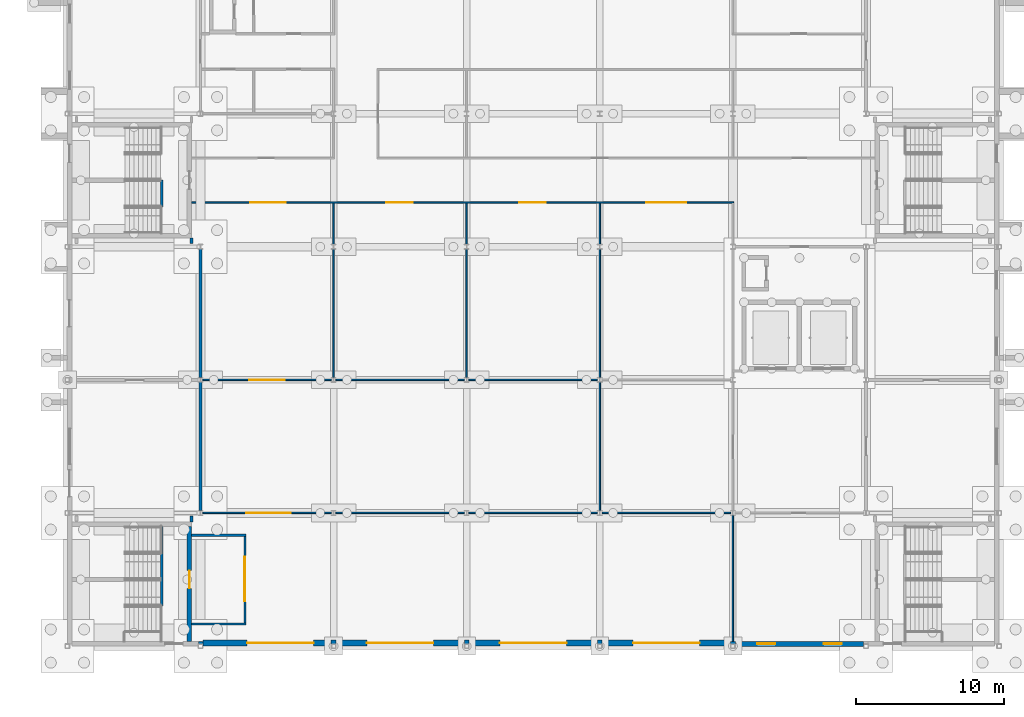
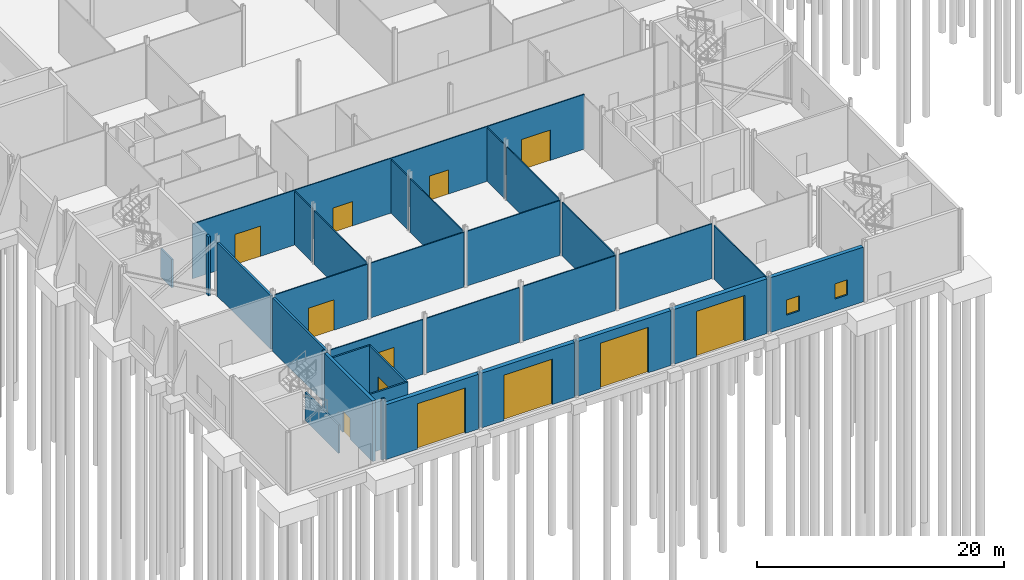
# One storey, part 100 of 139: 36 walls, 12 doors, 2 windows, 14 openings.
"""IFC4 building model written with IfcOpenShell, lengths in metres."""

from ifc_helpers import new_model, si_unit, direction, frame, frame_2d, origin, place, context, subcontext, project, spatial, rectangle, extrude, material, layer, layer_set, type_object, element, fill, save


model = new_model("IFC4")

# Units and contexts
model_context = context("Model", 3, precision=1e-05, world=origin(), true_north=direction((0.0, 1.0)))
body_context = subcontext(model_context, "Body", "Model", "MODEL_VIEW")
ifc_project = project(units=[si_unit("LENGTHUNIT", "METRE"), si_unit("AREAUNIT", "SQUARE_METRE"), si_unit("VOLUMEUNIT", "CUBIC_METRE"), si_unit("PLANEANGLEUNIT", "RADIAN"), si_unit("MASSUNIT", "GRAM", prefix="KILO")], contexts=[model_context])

# Site, building, storey
site_placement = place(None, origin())
site = spatial("IfcSite", under=ifc_project, at=site_placement, CompositionType="ELEMENT")
building_placement = place(site_placement, origin())
building = spatial("IfcBuilding", under=site, at=building_placement, Name="Shorebreak Coast Museum", CompositionType="ELEMENT")
storey_placement = place(building_placement, origin())
storey = spatial("IfcBuildingStorey", under=building, at=storey_placement, Name="L00", CompositionType="ELEMENT", Elevation=0.0)

# Walls
ifc_material_1 = material(Name="Concrete N50 (50 MPa)", Category="concrete")
ifc_layer_1 = layer(ifc_material_1, 0.14990234375)
ifc_layer_set_1 = layer_set([ifc_layer_1], Name="Concrete N50 (50 MPa)")
wall_type_1 = type_object("IfcWallType", Name="Column closure panel 150", PredefinedType="SOLIDWALL", material=ifc_layer_set_1)
wall_1_placement = place(storey_placement, frame((62.85009765625, 0.22509765625, 0.0), z_axis=(0.0, 0.0, 1.0), x_axis=(1.0, 0.0, 0.0)))
element("IfcWall", 1, at=wall_1_placement, inside=storey, type_object=wall_type_1, Name="Column closure panel L00 S 8A", PredefinedType="SOLIDWALL", context=body_context, shape_type="SweptSolid", body=[
    extrude(rectangle(XDim=0.322021484375, YDim=0.14990234375, at=frame_2d((0.1611328125, 0.0))), origin(), (0.0, 0.0, 1.0), 6.0),
])
ifc_material_2 = material(Name="Concrete N50 (50 MPa)", Category="concrete")
ifc_layer_2 = layer(ifc_material_2, 0.175048828125)
ifc_layer_set_2 = layer_set([ifc_layer_2], Name="Concrete N50 (50 MPa)")
wall_type_2 = type_object("IfcWallType", Name="Column closure panel 175", PredefinedType="SOLIDWALL", material=ifc_layer_set_2)
wall_2_placement = place(storey_placement, frame((98.839111328125, 0.237548828125, 0.0), z_axis=(0.0, 0.0, 1.0), x_axis=(1.0, 0.0, 0.0)))
element("IfcWall", 2, at=wall_2_placement, inside=storey, type_object=wall_type_2, Name="Column closure panel L00 S 12A", PredefinedType="SOLIDWALL", context=body_context, shape_type="SweptSolid", body=[
    extrude(rectangle(XDim=0.32177734375, YDim=0.175048828125, at=frame_2d((0.160888671875, 0.0))), origin(), (0.0, 0.0, 1.0), 5.418701171875),
])
ifc_material_3 = material(Name="Concrete N50 (50 MPa)", Category="concrete")
ifc_layer_3 = layer(ifc_material_3, 0.25)
ifc_layer_set_3 = layer_set([ifc_layer_3], Name="Concrete N50 (50 MPa)")
wall_type_3 = type_object("IfcWallType", Name="Column closure panel 250", PredefinedType="SOLIDWALL", material=ifc_layer_set_3)
for number, where, z_axis, x_axis, name in (
    (3, (71.839111328125, 0.27490234375, 0.0), (0.0, 0.0, 1.0), (1.0, 0.0, 0.0), "Column closure panel L00 S 9A"),
    (4, (80.839111328125, 0.27490234375, 0.0), (0.0, 0.0, 1.0), (1.0, 0.0, 0.0), "Column closure panel L00 S 10A"),
    (5, (89.839111328125, 0.27490234375, 0.0), (0.0, 0.0, 1.0), (1.0, 0.0, 0.0), "Column closure panel L00 S 11A"),
):
    element("IfcWall", number, at=place(storey_placement, frame(where, z_axis=z_axis, x_axis=x_axis)), inside=storey, type_object=wall_type_3, Name=name, PredefinedType="SOLIDWALL", context=body_context, shape_type="SweptSolid", body=[
        extrude(rectangle(XDim=0.32177734375, YDim=0.25, at=frame_2d((0.160888671875, 0.0))), origin(), (0.0, 0.0, 1.0), 5.418701171875),
    ])

# Wall, opening, door
ifc_material_4 = material(Name="Concrete N50 (50 MPa)", Category="concrete")
ifc_layer_4 = layer(ifc_material_4, 0.39990234375)
ifc_layer_set_4 = layer_set([ifc_layer_4], Name="Concrete N50 (50 MPa)")
wall_type_4 = type_object("IfcWallType", Name="Dock impact wall 400", PredefinedType="SOLIDWALL", material=ifc_layer_set_4)
wall_3_placement = place(storey_placement, frame((63.172119140625, 0.199951171875, 0.0), z_axis=(0.0, 0.0, 1.0), x_axis=(1.0, 0.0, 0.0)))
wall_3 = element("IfcWall", 6, at=wall_3_placement, inside=storey, type_object=wall_type_4, Name="External wall L00 S 8A", PredefinedType="SOLIDWALL", context=body_context, shape_type="SweptSolid", body=[
    extrude(rectangle(XDim=8.6669921875, YDim=0.39990234375, at=frame_2d((4.33349609375, 0.0))), origin(), (0.0, 0.0, 1.0), 5.418701171875),
])
opening_1_placement = place(wall_3_placement, frame((2.97802734375, 0.0, 0.0)))
opening_1 = element("IfcOpeningElement", 7, at=opening_1_placement, cuts=wall_3, Name="Opening D0901", PredefinedType="OPENING", context=body_context, shape_type="SweptSolid", body=[
    extrude(rectangle(XDim=4.5, YDim=4.5, at=frame_2d((2.25, 2.25))), frame((0.0, 0.2099609375, 0.0), z_axis=(0.0, -1.0, 0.0), x_axis=(1.0, 0.0, 0.0)), (0.0, 0.0, 1.0), 0.419921875),
])
ifc_material_5 = material(Name="Aluminium", Category="aluminium")
door_type_1 = type_object("IfcDoorType", Name="Dock overhead door 4500 x 4500", OperationType="ROLLINGUP", PredefinedType="DOOR", material=ifc_material_5)
door_1_placement = place(opening_1_placement, frame((4.5, 0.0, 0.0), z_axis=(0.0, 0.0, 1.0), x_axis=(-1.0, 0.0, 0.0)))
door_1 = element("IfcDoor", 8, at=door_1_placement, inside=storey, type_object=door_type_1, Name="Dock door DB1 D0901", OperationType="ROLLINGUP", OverallHeight=4.5, OverallWidth=4.5, PredefinedType="DOOR", context=body_context, shape_type="SweptSolid", body=[
    extrude(rectangle(XDim=4.5, YDim=4.5, at=frame_2d((2.25, 2.25))), frame((0.0, 0.02490234375, 0.0), z_axis=(0.0, -1.0, 0.0), x_axis=(1.0, 0.0, 0.0)), (0.0, 0.0, 1.0), 0.050048828125),
])
fill(opening_1, door_1)

wall_4_placement = place(storey_placement, frame((72.160888671875, 0.199951171875, 0.0), z_axis=(0.0, 0.0, 1.0), x_axis=(1.0, 0.0, 0.0)))
wall_4 = element("IfcWall", 9, at=wall_4_placement, inside=storey, type_object=wall_type_4, Name="External wall L00 S 9A", PredefinedType="SOLIDWALL", context=body_context, shape_type="SweptSolid", body=[
    extrude(rectangle(XDim=8.67822265625, YDim=0.39990234375, at=frame_2d((4.339111328125, 0.0))), origin(), (0.0, 0.0, 1.0), 5.418701171875),
])
opening_2_placement = place(wall_4_placement, frame((2.089111328125, 0.0, 0.0)))
opening_2 = element("IfcOpeningElement", 10, at=opening_2_placement, cuts=wall_4, Name="Opening D0902", PredefinedType="OPENING", context=body_context, shape_type="SweptSolid", body=[
    extrude(rectangle(XDim=4.5, YDim=4.5, at=frame_2d((2.25, 2.25))), frame((0.0, 0.2099609375, 0.0), z_axis=(0.0, -1.0, 0.0), x_axis=(1.0, 0.0, 0.0)), (0.0, 0.0, 1.0), 0.419921875),
])
door_2_placement = place(opening_2_placement, frame((4.5, 0.0, 0.0), z_axis=(0.0, 0.0, 1.0), x_axis=(-1.0, 0.0, 0.0)))
door_2 = element("IfcDoor", 11, at=door_2_placement, inside=storey, type_object=door_type_1, Name="Dock door DB2 D0902", OperationType="ROLLINGUP", OverallHeight=4.5, OverallWidth=4.5, PredefinedType="DOOR", context=body_context, shape_type="SweptSolid", body=[
    extrude(rectangle(XDim=4.5, YDim=4.5, at=frame_2d((2.25, 2.25))), frame((0.0, 0.02490234375, 0.0), z_axis=(0.0, -1.0, 0.0), x_axis=(1.0, 0.0, 0.0)), (0.0, 0.0, 1.0), 0.050048828125),
])
fill(opening_2, door_2)

wall_5_placement = place(storey_placement, frame((81.160888671875, 0.199951171875, 0.0), z_axis=(0.0, 0.0, 1.0), x_axis=(1.0, 0.0, 0.0)))
wall_5 = element("IfcWall", 12, at=wall_5_placement, inside=storey, type_object=wall_type_4, Name="External wall L00 S 10A", PredefinedType="SOLIDWALL", context=body_context, shape_type="SweptSolid", body=[
    extrude(rectangle(XDim=8.67822265625, YDim=0.39990234375, at=frame_2d((4.339111328125, 0.0))), origin(), (0.0, 0.0, 1.0), 5.418701171875),
])
opening_3_placement = place(wall_5_placement, frame((2.089111328125, 0.0, 0.0)))
opening_3 = element("IfcOpeningElement", 13, at=opening_3_placement, cuts=wall_5, Name="Opening D0903", PredefinedType="OPENING", context=body_context, shape_type="SweptSolid", body=[
    extrude(rectangle(XDim=4.5, YDim=4.5, at=frame_2d((2.25, 2.25))), frame((0.0, 0.2099609375, 0.0), z_axis=(0.0, -1.0, 0.0), x_axis=(1.0, 0.0, 0.0)), (0.0, 0.0, 1.0), 0.419921875),
])
door_3_placement = place(opening_3_placement, frame((4.5, 0.0, 0.0), z_axis=(0.0, 0.0, 1.0), x_axis=(-1.0, 0.0, 0.0)))
door_3 = element("IfcDoor", 14, at=door_3_placement, inside=storey, type_object=door_type_1, Name="Dock door DB3 D0903", OperationType="ROLLINGUP", OverallHeight=4.5, OverallWidth=4.5, PredefinedType="DOOR", context=body_context, shape_type="SweptSolid", body=[
    extrude(rectangle(XDim=4.5, YDim=4.5, at=frame_2d((2.25, 2.25))), frame((0.0, 0.02490234375, 0.0), z_axis=(0.0, -1.0, 0.0), x_axis=(1.0, 0.0, 0.0)), (0.0, 0.0, 1.0), 0.050048828125),
])
fill(opening_3, door_3)

wall_6_placement = place(storey_placement, frame((90.160888671875, 0.199951171875, 0.0), z_axis=(0.0, 0.0, 1.0), x_axis=(1.0, 0.0, 0.0)))
wall_6 = element("IfcWall", 15, at=wall_6_placement, inside=storey, type_object=wall_type_4, Name="External wall L00 S 11A", PredefinedType="SOLIDWALL", context=body_context, shape_type="SweptSolid", body=[
    extrude(rectangle(XDim=8.67822265625, YDim=0.39990234375, at=frame_2d((4.339111328125, 0.0))), origin(), (0.0, 0.0, 1.0), 5.418701171875),
])
opening_4_placement = place(wall_6_placement, frame((2.089111328125, 0.0, 0.0)))
opening_4 = element("IfcOpeningElement", 16, at=opening_4_placement, cuts=wall_6, Name="Opening D0904", PredefinedType="OPENING", context=body_context, shape_type="SweptSolid", body=[
    extrude(rectangle(XDim=4.5, YDim=4.5, at=frame_2d((2.25, 2.25))), frame((0.0, 0.2099609375, 0.0), z_axis=(0.0, -1.0, 0.0), x_axis=(1.0, 0.0, 0.0)), (0.0, 0.0, 1.0), 0.419921875),
])
door_4_placement = place(opening_4_placement, frame((4.5, 0.0, 0.0), z_axis=(0.0, 0.0, 1.0), x_axis=(-1.0, 0.0, 0.0)))
door_4 = element("IfcDoor", 17, at=door_4_placement, inside=storey, type_object=door_type_1, Name="Dock door DB4 D0904", OperationType="ROLLINGUP", OverallHeight=4.5, OverallWidth=4.5, PredefinedType="DOOR", context=body_context, shape_type="SweptSolid", body=[
    extrude(rectangle(XDim=4.5, YDim=4.5, at=frame_2d((2.25, 2.25))), frame((0.0, 0.02490234375, 0.0), z_axis=(0.0, -1.0, 0.0), x_axis=(1.0, 0.0, 0.0)), (0.0, 0.0, 1.0), 0.050048828125),
])
fill(opening_4, door_4)

# Walls
ifc_material_6 = material(Name="Plasterboard on steel stud", Category="steel")
ifc_layer_5 = layer(ifc_material_6, 0.14990234375)
ifc_layer_set_5 = layer_set([ifc_layer_5], Name="Plasterboard on steel stud")
wall_type_5 = type_object("IfcWallType", Name="Fire partition 150", PredefinedType="PARTITIONING", material=ifc_layer_set_5)
for number, where, z_axis, x_axis, name in (
    (18, (62.39990234375, 1.5, 0.0), (0.0, 0.0, 1.0), (1.0, 0.0, 0.0), "Partition L00-001"),
    (19, (62.39990234375, 7.5, 0.0), (0.0, 0.0, 1.0), (1.0, 0.0, 0.0), "Partition L00-002"),
):
    element("IfcWall", number, at=place(storey_placement, frame(where, z_axis=z_axis, x_axis=x_axis)), inside=storey, type_object=wall_type_5, Name=name, PredefinedType="PARTITIONING", context=body_context, shape_type="SweptSolid", body=[
        extrude(rectangle(XDim=3.675048828125, YDim=0.14990234375, at=frame_2d((1.83740234375, 0.0))), origin(), (0.0, 0.0, 1.0), 5.824951171875),
    ])

# Wall, opening, door
wall_7_placement = place(storey_placement, frame((66.0, 1.574951171875, 0.0), z_axis=(0.0, 0.0, 1.0), x_axis=(0.0, 1.0, 0.0)))
wall_7 = element("IfcWall", 20, at=wall_7_placement, inside=storey, type_object=wall_type_5, Name="Partition L00-108", PredefinedType="PARTITIONING", context=body_context, shape_type="SweptSolid", body=[
    extrude(rectangle(XDim=5.85009765625, YDim=0.14990234375, at=frame_2d((2.925048828125, 0.0))), origin(), (0.0, 0.0, 1.0), 5.824951171875),
])
opening_5_placement = place(wall_7_placement, frame((1.449951171875, 0.0, 0.0)))
opening_5 = element("IfcOpeningElement", 21, at=opening_5_placement, cuts=wall_7, Name="Opening D0001", PredefinedType="OPENING", context=body_context, shape_type="SweptSolid", body=[
    extrude(rectangle(XDim=3.0, YDim=3.60009765625, at=frame_2d((1.5, 1.800048828125))), frame((0.0, 0.0849609375, 0.0), z_axis=(0.0, -1.0, 0.0), x_axis=(1.0, 0.0, 0.0)), (0.0, 0.0, 1.0), 0.169921875),
])
ifc_material_7 = material(Name="Steel", Category="steel")
door_type_2 = type_object("IfcDoorType", Name="Fire door 3000x3600 60", OperationType="DOUBLE_DOOR_SINGLE_SWING", PredefinedType="DOOR", material=ifc_material_7)
door_5_placement = place(opening_5_placement, origin())
door_5 = element("IfcDoor", 22, at=door_5_placement, inside=storey, type_object=door_type_2, Name="Door D0001 Loading Dock", OperationType="DOUBLE_DOOR_SINGLE_SWING", OverallHeight=3.60009765625, OverallWidth=3.0, PredefinedType="DOOR", context=body_context, shape_type="SweptSolid", body=[
    extrude(rectangle(XDim=3.0, YDim=3.60009765625, at=frame_2d((1.5, 1.800048828125))), frame((0.0, 0.02490234375, 0.0), z_axis=(0.0, -1.0, 0.0), x_axis=(1.0, 0.0, 0.0)), (0.0, 0.0, 1.0), 0.050048828125),
])
fill(opening_5, door_5)

# Walls
ifc_material_8 = material(Name="Concrete masonry", Category="masonry")
ifc_layer_6 = layer(ifc_material_8, 0.199951171875)
ifc_layer_set_6 = layer_set([ifc_layer_6], Name="Concrete masonry")
wall_type_6 = type_object("IfcWallType", Name="Fire wall 200", PredefinedType="PARTITIONING", material=ifc_layer_set_6)
for number, where, z_axis, x_axis, name in (
    (23, (62.39990234375, 8.39990234375, 0.0), (0.0, 0.0, 1.0), (0.0, 1.0, 0.0), "Partition L00-098"),
    (24, (62.39990234375, 27.219970703125, 0.0), (0.0, 0.0, 1.0), (0.0, 1.0, 0.0), "Partition L00-099"),
):
    element("IfcWall", number, at=place(storey_placement, frame(where, z_axis=z_axis, x_axis=x_axis)), inside=storey, type_object=wall_type_6, Name=name, PredefinedType="PARTITIONING", context=body_context, shape_type="SweptSolid", body=[
        extrude(rectangle(XDim=0.380126953125, YDim=0.199951171875, at=frame_2d((0.18994140625, 0.0))), origin(), (0.0, 0.0, 1.0), 5.824951171875),
    ])
for number, where, z_axis, x_axis, name in (
    (25, (63.0, 9.160400390625, 0.0), (0.0, 0.0, 1.0), (0.0, 1.0, 0.0), "Partition L00-101"),
    (26, (63.0, 18.160400390625, 0.0), (0.0, 0.0, 1.0), (0.0, 1.0, 0.0), "Partition L00-102"),
):
    element("IfcWall", number, at=place(storey_placement, frame(where, z_axis=z_axis, x_axis=x_axis)), inside=storey, type_object=wall_type_6, Name=name, PredefinedType="PARTITIONING", context=body_context, shape_type="SweptSolid", body=[
        extrude(rectangle(XDim=8.67919921875, YDim=0.199951171875, at=frame_2d((4.339599609375, 0.0))), origin(), (0.0, 0.0, 1.0), 5.2919921875),
    ])

# Wall, opening, door
ifc_material_9 = material(Name="Plasterboard on steel stud", Category="steel")
ifc_layer_7 = layer(ifc_material_9, 0.10009765625)
ifc_layer_set_7 = layer_set([ifc_layer_7], Name="Plasterboard on steel stud")
wall_type_7 = type_object("IfcWallType", Name="Partition 100", PredefinedType="PARTITIONING", material=ifc_layer_set_7)
wall_8_placement = place(storey_placement, frame((63.154541015625, 9.0, 0.0), z_axis=(0.0, 0.0, 1.0), x_axis=(1.0, 0.0, 0.0)))
wall_8 = element("IfcWall", 27, at=wall_8_placement, inside=storey, type_object=wall_type_7, Name="Partition L00-003", PredefinedType="PARTITIONING", context=body_context, shape_type="SweptSolid", body=[
    extrude(rectangle(XDim=8.69091796875, YDim=0.10009765625, at=frame_2d((4.345458984375, 0.0))), origin(), (0.0, 0.0, 1.0), 5.418701171875),
])
opening_6_placement = place(wall_8_placement, frame((2.949951171875, 0.0, 0.0)))
opening_6 = element("IfcOpeningElement", 28, at=opening_6_placement, cuts=wall_8, Name="Opening D0003", PredefinedType="OPENING", context=body_context, shape_type="SweptSolid", body=[
    extrude(rectangle(XDim=3.0, YDim=3.60009765625, at=frame_2d((1.5, 1.800048828125))), frame((0.0, 0.06005859375, 0.0), z_axis=(0.0, -1.0, 0.0), x_axis=(1.0, 0.0, 0.0)), (0.0, 0.0, 1.0), 0.1201171875),
])
ifc_material_10 = material(Name="Timber", Category="wood")
door_type_3 = type_object("IfcDoorType", Name="Interior door 3000x3600", OperationType="DOUBLE_DOOR_SINGLE_SWING", PredefinedType="DOOR", material=ifc_material_10)
door_6_placement = place(opening_6_placement, origin())
door_6 = element("IfcDoor", 29, at=door_6_placement, inside=storey, type_object=door_type_3, Name="Door D0003 Receiving Hall", OperationType="DOUBLE_DOOR_SINGLE_SWING", OverallHeight=3.60009765625, OverallWidth=3.0, PredefinedType="DOOR", context=body_context, shape_type="SweptSolid", body=[
    extrude(rectangle(XDim=3.0, YDim=3.60009765625, at=frame_2d((1.5, 1.800048828125))), frame((0.0, 0.02490234375, 0.0), z_axis=(0.0, -1.0, 0.0), x_axis=(1.0, 0.0, 0.0)), (0.0, 0.0, 1.0), 0.050048828125),
])
fill(opening_6, door_6)

# Walls
for number, where, z_axis, x_axis, name in (
    (30, (72.154541015625, 9.0, 0.0), (0.0, 0.0, 1.0), (1.0, 0.0, 0.0), "Partition L00-004"),
    (31, (81.154541015625, 9.0, 0.0), (0.0, 0.0, 1.0), (1.0, 0.0, 0.0), "Partition L00-005"),
    (32, (90.154541015625, 9.0, 0.0), (0.0, 0.0, 1.0), (1.0, 0.0, 0.0), "Partition L00-006"),
):
    element("IfcWall", number, at=place(storey_placement, frame(where, z_axis=z_axis, x_axis=x_axis)), inside=storey, type_object=wall_type_7, Name=name, PredefinedType="PARTITIONING", context=body_context, shape_type="SweptSolid", body=[
        extrude(rectangle(XDim=8.69091796875, YDim=0.10009765625, at=frame_2d((4.345458984375, 0.0))), origin(), (0.0, 0.0, 1.0), 5.418701171875),
    ])

# Wall, opening, door
wall_9_placement = place(storey_placement, frame((63.154541015625, 18.0, 0.0), z_axis=(0.0, 0.0, 1.0), x_axis=(1.0, 0.0, 0.0)))
wall_9 = element("IfcWall", 33, at=wall_9_placement, inside=storey, type_object=wall_type_7, Name="Partition L00-009", PredefinedType="PARTITIONING", context=body_context, shape_type="SweptSolid", body=[
    extrude(rectangle(XDim=8.69091796875, YDim=0.10009765625, at=frame_2d((4.345458984375, 0.0))), origin(), (0.0, 0.0, 1.0), 5.418701171875),
])
opening_7_placement = place(wall_9_placement, frame((3.14990234375, 0.0, 0.0)))
opening_7 = element("IfcOpeningElement", 34, at=opening_7_placement, cuts=wall_9, Name="Opening D0060", PredefinedType="OPENING", context=body_context, shape_type="SweptSolid", body=[
    extrude(rectangle(XDim=2.39990234375, YDim=3.0, at=frame_2d((1.199951171875, 1.5))), frame((0.0, 0.06005859375, 0.0), z_axis=(0.0, -1.0, 0.0), x_axis=(1.0, 0.0, 0.0)), (0.0, 0.0, 1.0), 0.1201171875),
])
ifc_material_11 = material(Name="Timber", Category="wood")
door_type_4 = type_object("IfcDoorType", Name="Interior door 2400x3000", OperationType="DOUBLE_DOOR_SINGLE_SWING", PredefinedType="DOOR", material=ifc_material_11)
door_7_placement = place(opening_7_placement, origin())
door_7 = element("IfcDoor", 35, at=door_7_placement, inside=storey, type_object=door_type_4, Name="Door D0060 Receiving Hall", OperationType="DOUBLE_DOOR_SINGLE_SWING", OverallHeight=3.0, OverallWidth=2.39990234375, PredefinedType="DOOR", context=body_context, shape_type="SweptSolid", body=[
    extrude(rectangle(XDim=2.39990234375, YDim=3.0, at=frame_2d((1.199951171875, 1.5))), frame((0.0, 0.02490234375, 0.0), z_axis=(0.0, -1.0, 0.0), x_axis=(1.0, 0.0, 0.0)), (0.0, 0.0, 1.0), 0.050048828125),
])
fill(opening_7, door_7)

# Walls
for number, where, z_axis, x_axis, name in (
    (36, (72.154541015625, 18.0, 0.0), (0.0, 0.0, 1.0), (1.0, 0.0, 0.0), "Partition L00-010"),
    (37, (81.154541015625, 18.0, 0.0), (0.0, 0.0, 1.0), (1.0, 0.0, 0.0), "Partition L00-011"),
):
    element("IfcWall", number, at=place(storey_placement, frame(where, z_axis=z_axis, x_axis=x_axis)), inside=storey, type_object=wall_type_7, Name=name, PredefinedType="PARTITIONING", context=body_context, shape_type="SweptSolid", body=[
        extrude(rectangle(XDim=8.69091796875, YDim=0.10009765625, at=frame_2d((4.345458984375, 0.0))), origin(), (0.0, 0.0, 1.0), 5.418701171875),
    ])

# Wall, openings, doors
wall_10_placement = place(storey_placement, frame((62.39990234375, 30.0, 0.0), z_axis=(0.0, 0.0, 1.0), x_axis=(1.0, 0.0, 0.0)))
wall_10 = element("IfcWall", 38, at=wall_10_placement, inside=storey, type_object=wall_type_7, Name="Partition L00-017", PredefinedType="PARTITIONING", context=body_context, shape_type="SweptSolid", body=[
    extrude(rectangle(XDim=36.650146484375, YDim=0.10009765625, at=frame_2d((18.3251953125, 0.0))), origin(), (0.0, 0.0, 1.0), 5.42236328125),
])
opening_8_placement = place(wall_10_placement, frame((3.949951171875, 0.0, 0.0)))
opening_8 = element("IfcOpeningElement", 39, at=opening_8_placement, cuts=wall_10, Name="Opening D0009", PredefinedType="OPENING", context=body_context, shape_type="SweptSolid", body=[
    extrude(rectangle(XDim=2.39990234375, YDim=3.0, at=frame_2d((1.199951171875, 1.5))), frame((0.0, 0.06005859375, 0.0), z_axis=(0.0, -1.0, 0.0), x_axis=(1.0, 0.0, 0.0)), (0.0, 0.0, 1.0), 0.1201171875),
])
opening_9_placement = place(wall_10_placement, frame((13.14990234375, 0.0, 0.0)))
opening_9 = element("IfcOpeningElement", 40, at=opening_9_placement, cuts=wall_10, Name="Opening D0010", PredefinedType="OPENING", context=body_context, shape_type="SweptSolid", body=[
    extrude(rectangle(XDim=1.800048828125, YDim=2.39990234375, at=frame_2d((0.89990234375, 1.199951171875))), frame((0.0, 0.06005859375, 0.0), z_axis=(0.0, -1.0, 0.0), x_axis=(1.0, 0.0, 0.0)), (0.0, 0.0, 1.0), 0.1201171875),
])
opening_10_placement = place(wall_10_placement, frame((22.14990234375, 0.0, 0.0)))
opening_10 = element("IfcOpeningElement", 41, at=opening_10_placement, cuts=wall_10, Name="Opening D0011", PredefinedType="OPENING", context=body_context, shape_type="SweptSolid", body=[
    extrude(rectangle(XDim=1.800048828125, YDim=2.39990234375, at=frame_2d((0.89990234375, 1.199951171875))), frame((0.0, 0.06005859375, 0.0), z_axis=(0.0, -1.0, 0.0), x_axis=(1.0, 0.0, 0.0)), (0.0, 0.0, 1.0), 0.1201171875),
])
opening_11_placement = place(wall_10_placement, frame((30.75, 0.0, 0.0)))
opening_11 = element("IfcOpeningElement", 42, at=opening_11_placement, cuts=wall_10, Name="Opening D0012", PredefinedType="OPENING", context=body_context, shape_type="SweptSolid", body=[
    extrude(rectangle(XDim=2.699951171875, YDim=3.0, at=frame_2d((1.35009765625, 1.5))), frame((0.0, 0.06005859375, 0.0), z_axis=(0.0, -1.0, 0.0), x_axis=(1.0, 0.0, 0.0)), (0.0, 0.0, 1.0), 0.1201171875),
])
ifc_material_12 = material(Name="Timber", Category="wood")
door_type_5 = type_object("IfcDoorType", Name="Interior door 1800x2400", OperationType="DOUBLE_DOOR_SINGLE_SWING", PredefinedType="DOOR", material=ifc_material_12)
door_8_placement = place(opening_9_placement, origin())
door_8 = element("IfcDoor", 43, at=door_8_placement, inside=storey, type_object=door_type_5, Name="Door D0010 Workshop 0.01", OperationType="DOUBLE_DOOR_SINGLE_SWING", OverallHeight=2.39990234375, OverallWidth=1.800048828125, PredefinedType="DOOR", context=body_context, shape_type="SweptSolid", body=[
    extrude(rectangle(XDim=1.800048828125, YDim=2.39990234375, at=frame_2d((0.89990234375, 1.199951171875))), frame((0.0, 0.02490234375, 0.0), z_axis=(0.0, -1.0, 0.0), x_axis=(1.0, 0.0, 0.0)), (0.0, 0.0, 1.0), 0.050048828125),
])
fill(opening_9, door_8)
door_9_placement = place(opening_10_placement, origin())
door_9 = element("IfcDoor", 44, at=door_9_placement, inside=storey, type_object=door_type_5, Name="Door D0011 Workshop 0.02", OperationType="DOUBLE_DOOR_SINGLE_SWING", OverallHeight=2.39990234375, OverallWidth=1.800048828125, PredefinedType="DOOR", context=body_context, shape_type="SweptSolid", body=[
    extrude(rectangle(XDim=1.800048828125, YDim=2.39990234375, at=frame_2d((0.89990234375, 1.199951171875))), frame((0.0, 0.02490234375, 0.0), z_axis=(0.0, -1.0, 0.0), x_axis=(1.0, 0.0, 0.0)), (0.0, 0.0, 1.0), 0.050048828125),
])
fill(opening_10, door_9)
door_10_placement = place(opening_8_placement, origin())
door_10 = element("IfcDoor", 45, at=door_10_placement, inside=storey, type_object=door_type_4, Name="Door D0009 Quarantine Room", OperationType="DOUBLE_DOOR_SINGLE_SWING", OverallHeight=3.0, OverallWidth=2.39990234375, PredefinedType="DOOR", context=body_context, shape_type="SweptSolid", body=[
    extrude(rectangle(XDim=2.39990234375, YDim=3.0, at=frame_2d((1.199951171875, 1.5))), frame((0.0, 0.02490234375, 0.0), z_axis=(0.0, -1.0, 0.0), x_axis=(1.0, 0.0, 0.0)), (0.0, 0.0, 1.0), 0.050048828125),
])
fill(opening_8, door_10)
ifc_material_13 = material(Name="Timber", Category="wood")
door_type_6 = type_object("IfcDoorType", Name="Interior door 2700x3000", OperationType="DOUBLE_DOOR_SINGLE_SWING", PredefinedType="DOOR", material=ifc_material_13)
door_11_placement = place(opening_11_placement, origin())
door_11 = element("IfcDoor", 46, at=door_11_placement, inside=storey, type_object=door_type_6, Name="Door D0012 Crate Store 0.01", OperationType="DOUBLE_DOOR_SINGLE_SWING", OverallHeight=3.0, OverallWidth=2.699951171875, PredefinedType="DOOR", context=body_context, shape_type="SweptSolid", body=[
    extrude(rectangle(XDim=2.699951171875, YDim=3.0, at=frame_2d((1.35009765625, 1.5))), frame((0.0, 0.02490234375, 0.0), z_axis=(0.0, -1.0, 0.0), x_axis=(1.0, 0.0, 0.0)), (0.0, 0.0, 1.0), 0.050048828125),
])
fill(opening_11, door_11)

# Walls
wall_11_placement = place(storey_placement, frame((72.0, 18.160400390625, 0.0), z_axis=(0.0, 0.0, 1.0), x_axis=(0.0, 1.0, 0.0)))
element("IfcWall", 47, at=wall_11_placement, inside=storey, type_object=wall_type_7, Name="Partition L00-113", PredefinedType="PARTITIONING", context=body_context, shape_type="SweptSolid", body=[
    extrude(rectangle(XDim=8.67919921875, YDim=0.10009765625, at=frame_2d((4.339599609375, 0.0))), origin(), (0.0, 0.0, 1.0), 5.2919921875),
])
wall_12_placement = place(storey_placement, frame((72.0, 27.160400390625, 0.0), z_axis=(0.0, 0.0, 1.0), x_axis=(0.0, 1.0, 0.0)))
element("IfcWall", 48, at=wall_12_placement, inside=storey, type_object=wall_type_7, Name="Partition L00-114", PredefinedType="PARTITIONING", context=body_context, shape_type="SweptSolid", body=[
    extrude(rectangle(XDim=2.78955078125, YDim=0.10009765625, at=frame_2d((1.394775390625, 0.0))), origin(), (0.0, 0.0, 1.0), 5.2919921875),
])
wall_13_placement = place(storey_placement, frame((81.0, 18.160400390625, 0.0), z_axis=(0.0, 0.0, 1.0), x_axis=(0.0, 1.0, 0.0)))
element("IfcWall", 49, at=wall_13_placement, inside=storey, type_object=wall_type_7, Name="Partition L00-121", PredefinedType="PARTITIONING", context=body_context, shape_type="SweptSolid", body=[
    extrude(rectangle(XDim=8.67919921875, YDim=0.10009765625, at=frame_2d((4.339599609375, 0.0))), origin(), (0.0, 0.0, 1.0), 5.2919921875),
])
wall_14_placement = place(storey_placement, frame((81.0, 27.160400390625, 0.0), z_axis=(0.0, 0.0, 1.0), x_axis=(0.0, 1.0, 0.0)))
element("IfcWall", 50, at=wall_14_placement, inside=storey, type_object=wall_type_7, Name="Partition L00-122", PredefinedType="PARTITIONING", context=body_context, shape_type="SweptSolid", body=[
    extrude(rectangle(XDim=2.78955078125, YDim=0.10009765625, at=frame_2d((1.394775390625, 0.0))), origin(), (0.0, 0.0, 1.0), 5.2919921875),
])
for number, where, z_axis, x_axis, name in (
    (51, (90.0, 9.160400390625, 0.0), (0.0, 0.0, 1.0), (0.0, 1.0, 0.0), "Partition L00-127"),
    (52, (90.0, 18.160400390625, 0.0), (0.0, 0.0, 1.0), (0.0, 1.0, 0.0), "Partition L00-128"),
):
    element("IfcWall", number, at=place(storey_placement, frame(where, z_axis=z_axis, x_axis=x_axis)), inside=storey, type_object=wall_type_7, Name=name, PredefinedType="PARTITIONING", context=body_context, shape_type="SweptSolid", body=[
        extrude(rectangle(XDim=8.67919921875, YDim=0.10009765625, at=frame_2d((4.339599609375, 0.0))), origin(), (0.0, 0.0, 1.0), 5.2919921875),
    ])
wall_15_placement = place(storey_placement, frame((90.0, 27.160400390625, 0.0), z_axis=(0.0, 0.0, 1.0), x_axis=(0.0, 1.0, 0.0)))
element("IfcWall", 53, at=wall_15_placement, inside=storey, type_object=wall_type_7, Name="Partition L00-129", PredefinedType="PARTITIONING", context=body_context, shape_type="SweptSolid", body=[
    extrude(rectangle(XDim=2.78955078125, YDim=0.10009765625, at=frame_2d((1.394775390625, 0.0))), origin(), (0.0, 0.0, 1.0), 5.2919921875),
])
wall_16_placement = place(storey_placement, frame((99.0, 0.324951171875, 0.0), z_axis=(0.0, 0.0, 1.0), x_axis=(0.0, 1.0, 0.0)))
element("IfcWall", 54, at=wall_16_placement, inside=storey, type_object=wall_type_7, Name="Partition L00-135", PredefinedType="PARTITIONING", context=body_context, shape_type="SweptSolid", body=[
    extrude(rectangle(XDim=8.5146484375, YDim=0.10009765625, at=frame_2d((4.25732421875, 0.0))), origin(), (0.0, 0.0, 1.0), 5.2919921875),
])

# Wall, openings, windows
ifc_material_14 = material(Name="Concrete N50 (50 MPa)", Category="concrete")
ifc_layer_8 = layer(ifc_material_14, 0.35009765625)
ifc_layer_set_8 = layer_set([ifc_layer_8], Name="Concrete N50 (50 MPa)")
wall_type_8 = type_object("IfcWallType", Name="Precast plinth panel 350", PredefinedType="SOLIDWALL", material=ifc_layer_set_8)
wall_17_placement = place(storey_placement, frame((99.160888671875, 0.14990234375, 0.0), z_axis=(0.0, 0.0, 1.0), x_axis=(1.0, 0.0, 0.0)))
wall_17 = element("IfcWall", 55, at=wall_17_placement, inside=storey, type_object=wall_type_8, Name="External wall L00 S 12A", PredefinedType="SOLIDWALL", context=body_context, shape_type="SweptSolid", body=[
    extrude(rectangle(XDim=8.6669921875, YDim=0.35009765625, at=frame_2d((4.33349609375, 0.0))), origin(), (0.0, 0.0, 1.0), 5.418701171875),
])
opening_12_placement = place(wall_17_placement, frame((1.489013671875, 0.0, 1.199951171875)))
opening_12 = element("IfcOpeningElement", 56, at=opening_12_placement, cuts=wall_17, Name="Opening WN0007", PredefinedType="OPENING", context=body_context, shape_type="SweptSolid", body=[
    extrude(rectangle(XDim=1.199951171875, YDim=1.5, at=frame_2d((0.60009765625, 0.75))), frame((0.0, 0.18505859375, 0.0), z_axis=(0.0, -1.0, 0.0), x_axis=(1.0, 0.0, 0.0)), (0.0, 0.0, 1.0), 0.3701171875),
])
opening_13_placement = place(wall_17_placement, frame((5.989013671875, 0.0, 1.199951171875)))
opening_13 = element("IfcOpeningElement", 57, at=opening_13_placement, cuts=wall_17, Name="Opening WN0008", PredefinedType="OPENING", context=body_context, shape_type="SweptSolid", body=[
    extrude(rectangle(XDim=1.199951171875, YDim=1.5, at=frame_2d((0.60009765625, 0.75))), frame((0.0, 0.18505859375, 0.0), z_axis=(0.0, -1.0, 0.0), x_axis=(1.0, 0.0, 0.0)), (0.0, 0.0, 1.0), 0.3701171875),
])
ifc_material_15 = material(Name="Aluminium", Category="aluminium")
window_type = type_object("IfcWindowType", Name="Punched window 1200 x 1500", PartitioningType="SINGLE_PANEL", PredefinedType="WINDOW", material=ifc_material_15)
window_1_placement = place(opening_12_placement, origin())
window_1 = element("IfcWindow", 58, at=window_1_placement, inside=storey, type_object=window_type, Name="Window WN0007", OverallHeight=1.5, OverallWidth=1.199951171875, PartitioningType="SINGLE_PANEL", PredefinedType="WINDOW", context=body_context, shape_type="SweptSolid", body=[
    extrude(rectangle(XDim=1.199951171875, YDim=1.5, at=frame_2d((0.60009765625, 0.75))), frame((0.0, 0.030029296875, 0.0), z_axis=(0.0, -1.0, 0.0), x_axis=(1.0, 0.0, 0.0)), (0.0, 0.0, 1.0), 0.06005859375),
])
fill(opening_12, window_1)
window_2_placement = place(opening_13_placement, origin())
window_2 = element("IfcWindow", 59, at=window_2_placement, inside=storey, type_object=window_type, Name="Window WN0008", OverallHeight=1.5, OverallWidth=1.199951171875, PartitioningType="SINGLE_PANEL", PredefinedType="WINDOW", context=body_context, shape_type="SweptSolid", body=[
    extrude(rectangle(XDim=1.199951171875, YDim=1.5, at=frame_2d((0.60009765625, 0.75))), frame((0.0, 0.030029296875, 0.0), z_axis=(0.0, -1.0, 0.0), x_axis=(1.0, 0.0, 0.0)), (0.0, 0.0, 1.0), 0.06005859375),
])
fill(opening_13, window_2)

# Wall, opening, door
ifc_material_16 = material(Name="Concrete N50 (50 MPa)", Category="concrete")
ifc_layer_9 = layer(ifc_material_16, 0.300048828125)
ifc_layer_set_9 = layer_set([ifc_layer_9], Name="Concrete N50 (50 MPa)")
wall_type_9 = type_object("IfcWallType", Name="RC wall 300", PredefinedType="SHEAR", material=ifc_layer_set_9)
wall_18_placement = place(storey_placement, frame((62.25, 0.300048828125, 0.0), z_axis=(0.0, 0.0, 1.0), x_axis=(0.0, 1.0, 0.0)))
wall_18 = element("IfcWall", 60, at=wall_18_placement, inside=storey, type_object=wall_type_9, Name="Stair core wall ST11 L00 E", PredefinedType="SHEAR", context=body_context, shape_type="SweptSolid", body=[
    extrude(rectangle(XDim=7.800048828125, YDim=0.300048828125, at=frame_2d((3.89990234375, 0.0))), origin(), (0.0, 0.0, 1.0), 6.0),
])
opening_14_placement = place(wall_18_placement, frame((3.60009765625, 0.0, 0.0)))
opening_14 = element("IfcOpeningElement", 61, at=opening_14_placement, cuts=wall_18, Name="Opening D0811", PredefinedType="OPENING", context=body_context, shape_type="SweptSolid", body=[
    extrude(rectangle(XDim=1.199951171875, YDim=2.10009765625, at=frame_2d((0.60009765625, 1.050048828125))), frame((0.0, 0.159912109375, 0.0), z_axis=(0.0, -1.0, 0.0), x_axis=(1.0, 0.0, 0.0)), (0.0, 0.0, 1.0), 0.320068359375),
])
ifc_material_17 = material(Name="Steel Grade 300", Category="steel")
door_type_7 = type_object("IfcDoorType", Name="Fire door 1200x2100", OperationType="SINGLE_SWING_LEFT", PredefinedType="DOOR", material=ifc_material_17)
door_12_placement = place(opening_14_placement, origin())
door_12 = element("IfcDoor", 62, at=door_12_placement, inside=storey, type_object=door_type_7, Name="Stair door ST11 L00", OperationType="SINGLE_SWING_LEFT", OverallHeight=2.10009765625, OverallWidth=1.199951171875, PredefinedType="DOOR", context=body_context, shape_type="SweptSolid", body=[
    extrude(rectangle(XDim=1.199951171875, YDim=2.10009765625, at=frame_2d((0.60009765625, 1.050048828125))), frame((0.0, 0.02490234375, 0.0), z_axis=(0.0, -1.0, 0.0), x_axis=(1.0, 0.0, 0.0)), (0.0, 0.0, 1.0), 0.050048828125),
])
fill(opening_14, door_12)

# Walls
ifc_material_18 = material(Name="Concrete N50 (50 MPa)", Category="concrete")
ifc_layer_10 = layer(ifc_material_18, 0.14990234375)
ifc_layer_set_10 = layer_set([ifc_layer_10], Name="Concrete N50 (50 MPa)")
wall_type_10 = type_object("IfcWallType", Name="Understair wall 150", PredefinedType="STANDARD", material=ifc_layer_set_10)
wall_19_placement = place(storey_placement, frame((60.375, 2.699951171875, 0.0), z_axis=(0.0, 0.0, 1.0), x_axis=(0.0, 1.0, 0.0)))
element("IfcWall", 63, at=wall_19_placement, inside=storey, type_object=wall_type_10, Name="Understair wall ST11 L00 floor", PredefinedType="STANDARD", context=body_context, shape_type="SweptSolid", body=[
    extrude(rectangle(XDim=5.400146484375, YDim=0.14990234375, at=frame_2d((2.7001953125, 0.0))), origin(), (0.0, 0.0, 1.0), 2.800048828125),
])
wall_20_placement = place(storey_placement, frame((60.375, 29.699951171875, 0.0), z_axis=(0.0, 0.0, 1.0), x_axis=(0.0, 1.0, 0.0)))
element("IfcWall", 64, at=wall_20_placement, inside=storey, type_object=wall_type_10, Name="Understair wall ST13 L00 floor", PredefinedType="STANDARD", context=body_context, shape_type="SweptSolid", body=[
    extrude(rectangle(XDim=1.800048828125, YDim=0.14990234375, at=frame_2d((0.89990234375, 0.0))), origin(), (0.0, 0.0, 1.0), 2.800048828125),
])

save(model, "model.ifc")
